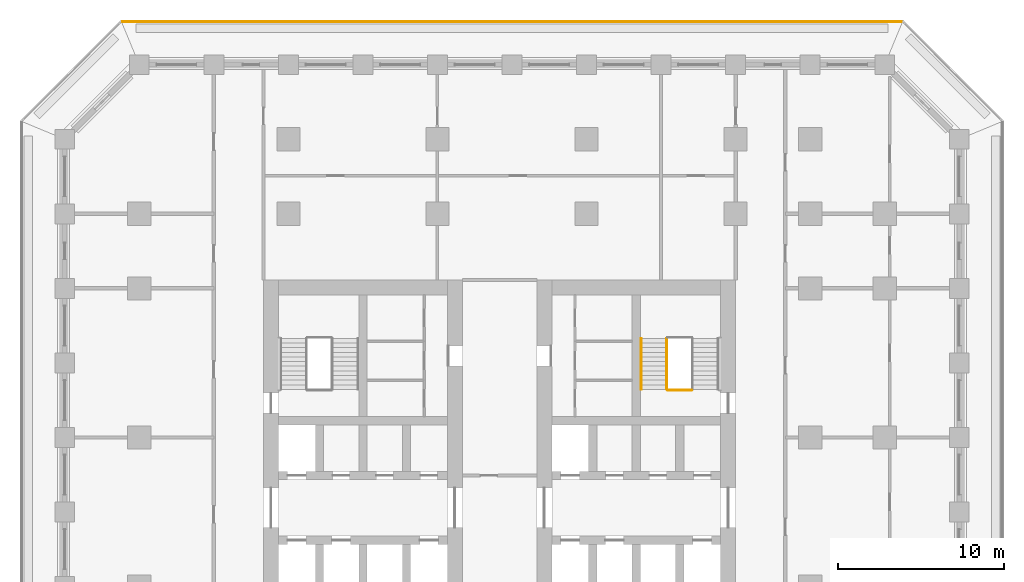
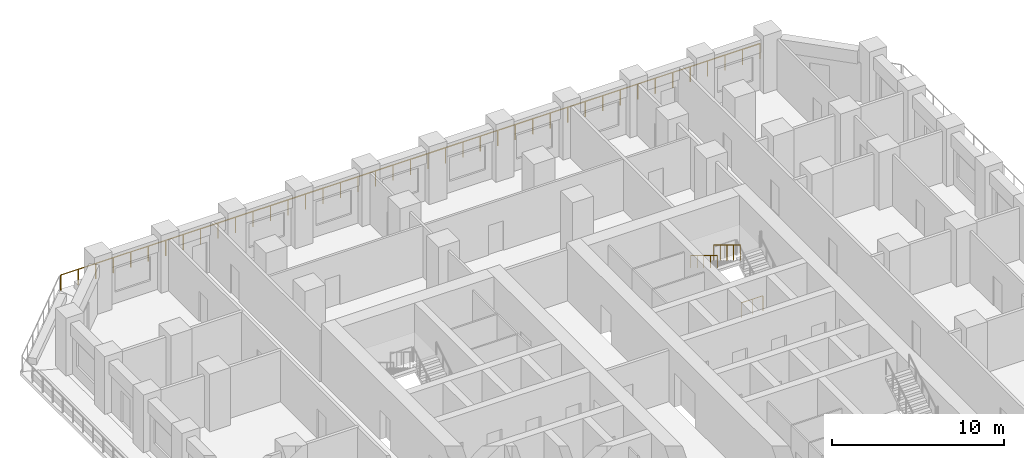
# One storey, part 15 of 17: 4 railings.
"""IFC4 building model written with IfcOpenShell, lengths in metres."""

import ifcopenshell
import ifcopenshell.guid

model = None  # the IFC model being written
_history = None  # IfcOwnerHistory: only IFC2X3 demands one
_inside = {}  # id of a spatial element -> (the spatial element, [elements in it])
_under = {}  # id of a project, library or spatial element -> (it, [spatial elements below it])
_declared = {}  # id of a project -> (the project, [libraries it declares])
_typed = {}  # id of a type object -> (the type object, [elements of that type])
_made_of = {}  # id of a material, layer set ... -> (it, [elements and type objects made of it])


def new_model(schema):
    """Start an empty IFC model of exactly this schema.

    Asked for "IFC4X3", IfcOpenShell would pick the latest addendum, in which some entities
    have other attributes; the version numbers below select the first issue.
    IFC2X3 requires an IfcOwnerHistory on every rooted entity: one is made here for all.
    """
    global model, _history
    if schema == "IFC4X3":
        model = ifcopenshell.file(schema_version=(4, 3, 0, 0))
    else:
        model = ifcopenshell.file(schema=schema)
    _inside.clear()
    _under.clear()
    _declared.clear()
    _typed.clear()
    _made_of.clear()
    _history = None
    if model.schema == "IFC2X3":
        org = make("IfcOrganization", Name="unknown")
        user = make(
            "IfcPersonAndOrganization",
            ThePerson=make("IfcPerson", FamilyName="unknown"),
            TheOrganization=org,
        )
        app = make(
            "IfcApplication",
            ApplicationDeveloper=org,
            Version="unknown",
            ApplicationFullName="unknown",
            ApplicationIdentifier="unknown",
        )
        _history = make(
            "IfcOwnerHistory",
            OwningUser=user,
            OwningApplication=app,
            ChangeAction="ADDED",
            CreationDate=0,
        )
    return model


def make(cls, **values):
    """One entity of the class cls with the attributes given. An attribute that is None is left unset."""
    return model.create_entity(
        cls, **{name: value for name, value in values.items() if value is not None}
    )


def rooted(cls, **values):
    """An entity with a GlobalId (a new one), such as an element, a storey or a relation."""
    return make(cls, GlobalId=ifcopenshell.guid.new(), OwnerHistory=_history, **values)


def si_unit(unit_type, name, prefix=None):
    """IfcSIUnit, for example si_unit("LENGTHUNIT", "METRE", prefix="MILLI")."""
    return make("IfcSIUnit", UnitType=unit_type, Prefix=prefix, Name=name)


def assignment(units):
    """IfcUnitAssignment: the units of a project."""
    return None if units is None else make("IfcUnitAssignment", Units=units)


def point(xyz):
    """IfcCartesianPoint."""
    return None if xyz is None else make("IfcCartesianPoint", Coordinates=xyz)


def direction(xyz):
    """IfcDirection."""
    return None if xyz is None else make("IfcDirection", DirectionRatios=xyz)


def frame(location, z_axis=None, x_axis=None):
    """IfcAxis2Placement3D, a coordinate frame: its origin and axes. An axis left out is left unset."""
    return make(
        "IfcAxis2Placement3D",
        Location=point(location),
        Axis=direction(z_axis),
        RefDirection=direction(x_axis),
    )


def frame_2d(location, x_axis=None):
    """IfcAxis2Placement2D, a coordinate frame in the plane: its origin and x axis."""
    return make(
        "IfcAxis2Placement2D", Location=point(location), RefDirection=direction(x_axis)
    )


def origin():
    """The frame at (0, 0, 0) with its axes left unset."""
    return frame((0.0, 0.0, 0.0))


def origin_2d():
    """The frame at (0, 0) in the plane with its x axis left unset."""
    return frame_2d((0.0, 0.0))


def place(relative_to, where):
    """IfcLocalPlacement: puts the frame where relative to a parent placement (None: the world)."""
    return make(
        "IfcLocalPlacement", PlacementRelTo=relative_to, RelativePlacement=where
    )


def context(
    kind, dimensions, precision=None, world=None, true_north=None, identifier=None
):
    """IfcGeometricRepresentationContext, for example the 3D "Model" context."""
    return make(
        "IfcGeometricRepresentationContext",
        ContextIdentifier=identifier,
        ContextType=kind,
        CoordinateSpaceDimension=dimensions,
        Precision=precision,
        WorldCoordinateSystem=world,
        TrueNorth=true_north,
    )


def subcontext(parent, identifier, kind, view, scale=None):
    """IfcGeometricRepresentationSubContext, for example "Body" below "Model"."""
    return make(
        "IfcGeometricRepresentationSubContext",
        ContextIdentifier=identifier,
        ContextType=kind,
        ParentContext=parent,
        TargetScale=scale,
        TargetView=view,
    )


def project(units=None, contexts=None):
    """IfcProject with its units and contexts."""
    return rooted(
        "IfcProject",
        Name="project",
        RepresentationContexts=contexts,
        UnitsInContext=assignment(units),
    )


def spatial(cls, under=None, at=None, **own):
    """A site, building, storey or space (cls), placed at a placement, below another one or the project."""
    s = rooted(cls, ObjectPlacement=at, **own)
    if under is not None:
        _under.setdefault(under.id(), (under, []))[1].append(s)
    return s


def profile(cls, at=None, kind="AREA", **sizes):
    """A parametric profile (cls). Its sizes go by their IFC names, for example OverallWidth=200.0."""
    return make(cls, ProfileType=kind, Position=at, **sizes)


def circle(**sizes):
    """IfcCircleProfileDef."""
    return profile("IfcCircleProfileDef", **sizes)


def extrude(swept, where, along, depth):
    """IfcExtrudedAreaSolid: the profile swept, set in the frame where, extruded along a direction by depth."""
    return make(
        "IfcExtrudedAreaSolid",
        SweptArea=swept,
        Position=where,
        ExtrudedDirection=direction(along),
        Depth=depth,
    )


def shape(context_of_items, identifier, shape_type, items):
    """IfcShapeRepresentation: the items that make up one representation, for example the "Body"."""
    return make(
        "IfcShapeRepresentation",
        ContextOfItems=context_of_items,
        RepresentationIdentifier=identifier,
        RepresentationType=shape_type,
        Items=items,
    )


def material(Name=None, Category=None):
    """IfcMaterial."""
    return make("IfcMaterial", Name=Name, Category=Category)


def made_of(thing, what):
    """Note that an element or type object is made of a material, layer set ...; save() writes the relation."""
    if what is not None:
        _made_of.setdefault(what.id(), (what, []))[1].append(thing)
    return thing


def type_object(cls, material=None, **own):
    """A type object (cls), such as IfcWallType, which elements share."""
    return made_of(rooted(cls, **own), material)


def element(
    cls,
    number,
    at=None,
    inside=None,
    cuts=None,
    type_object=None,
    material=None,
    context=None,
    identifier="Body",
    shape_type=None,
    held_by="IfcProductDefinitionShape",
    body=None,
    shapes=None,
    **own,
):
    """One element of the class cls, such as IfcWall. Its Tag is "e" and its number.

    at: its placement. inside: the storey or other place that contains it. cuts: it is an
    opening in that element (IfcRelVoidsElement). A single representation is given by context,
    identifier, shape_type and body (its items); several are given by shapes. held_by: the class
    of the entity that holds the representations. save() writes the other relations.
    """
    e = rooted(cls, Tag="e%d" % number, ObjectPlacement=at, **own)
    if body is not None:
        shapes = [shape(context, identifier, shape_type, body)]
    if shapes is not None:
        e.Representation = make(held_by, Representations=shapes)
    if inside is not None:
        _inside.setdefault(inside.id(), (inside, []))[1].append(e)
    if cuts is not None:
        rooted(
            "IfcRelVoidsElement", RelatingBuildingElement=cuts, RelatedOpeningElement=e
        )
    if type_object is not None:
        _typed.setdefault(type_object.id(), (type_object, []))[1].append(e)
    return made_of(e, material)


def aggregate(whole, parts):
    """IfcRelAggregates: a whole, such as a stair, and the parts it consists of."""
    return rooted("IfcRelAggregates", RelatingObject=whole, RelatedObjects=parts)


def save(model, path):
    """Write the relations noted so far, then the file.

    IfcRelAggregates (storeys below a building ...), IfcRelContainedInSpatialStructure (elements
    in a storey), IfcRelDefinesByType, IfcRelAssociatesMaterial and IfcRelDeclares: one each for
    every whole, place, type object, material and project.
    """
    for whole, parts in _under.values():
        aggregate(whole, parts)
    for where, things in _inside.values():
        rooted(
            "IfcRelContainedInSpatialStructure",
            RelatedElements=things,
            RelatingStructure=where,
        )
    for kind, things in _typed.values():
        rooted("IfcRelDefinesByType", RelatedObjects=things, RelatingType=kind)
    for what, things in _made_of.values():
        rooted("IfcRelAssociatesMaterial", RelatedObjects=things, RelatingMaterial=what)
    for by, libraries in _declared.values():
        rooted("IfcRelDeclares", RelatingContext=by, RelatedDefinitions=libraries)
    model.write(path)


model = new_model("IFC4")

# Units and contexts
model_context = context("Model", 3, precision=1e-05, world=origin(), true_north=direction((0.0, 1.0)))
body_context = subcontext(model_context, "Body", "Model", "MODEL_VIEW")
ifc_project = project(units=[si_unit("LENGTHUNIT", "METRE"), si_unit("AREAUNIT", "SQUARE_METRE"), si_unit("VOLUMEUNIT", "CUBIC_METRE"), si_unit("PLANEANGLEUNIT", "RADIAN"), si_unit("MASSUNIT", "GRAM", prefix="KILO")], contexts=[model_context])

# Site, building, storey
site_placement = place(None, origin())
site = spatial("IfcSite", under=ifc_project, at=site_placement, CompositionType="ELEMENT")
building_placement = place(site_placement, origin())
building = spatial("IfcBuilding", under=site, at=building_placement, Name="Corbel Stack Research Tower", CompositionType="ELEMENT")
storey_placement = place(building_placement, frame((0.0, 0.0, 94.300048828125)))
storey = spatial("IfcBuildingStorey", under=building, at=storey_placement, Name="L21", CompositionType="ELEMENT", Elevation=94.300048828125)

# Railings
ifc_material_1 = material(Name="Steel S355", Category="steel")
railing_type_1 = type_object("IfcRailingType", Name="Stair guard 1100", PredefinedType="GUARDRAIL", material=ifc_material_1)
railing_1_placement = place(storey_placement, frame((13.85009765625, 14.97998046875, 2.220703125)))
element("IfcRailing", 1, at=railing_1_placement, inside=storey, type_object=railing_type_1, Name="L21 ST-E2 stair guard 4", PredefinedType="GUARDRAIL", context=body_context, shape_type="SweptSolid", body=[
    extrude(circle(Radius=0.02392578125, at=origin_2d()), frame((0.0, 0.0, 1.076171875), z_axis=(0.0, -0.853666305674, 0.52082035152), x_axis=(1.0, 0.0, 0.0)), (0.0, 0.0, 1.0), 3.608154296875),
    extrude(circle(Radius=0.02099609375, at=origin_2d()), origin(), (0.0, 0.0, 1.0), 1.052001953125),
    extrude(circle(Radius=0.02099609375, at=origin_2d()), frame((0.0, -0.77001953125, 0.4697265625)), (0.0, 0.0, 1.0), 1.052001953125),
    extrude(circle(Radius=0.02099609375, at=origin_2d()), frame((0.0, -1.5400390625, 0.939453125)), (0.0, 0.0, 1.0), 1.052001953125),
    extrude(circle(Radius=0.02099609375, at=origin_2d()), frame((0.0, -2.31005859375, 1.409423828125)), (0.0, 0.0, 1.0), 1.052001953125),
    extrude(circle(Radius=0.02099609375, at=origin_2d()), frame((0.0, -3.080078125, 1.879150390625)), (0.0, 0.0, 1.0), 1.052001953125),
])
railing_2_placement = place(storey_placement, frame((15.35009765625, 11.85009765625, 0.0)))
element("IfcRailing", 2, at=railing_2_placement, inside=storey, type_object=railing_type_1, Name="L21 ST-E2 stair guard 5", PredefinedType="GUARDRAIL", context=body_context, shape_type="SweptSolid", body=[
    extrude(circle(Radius=0.02392578125, at=origin_2d()), frame((0.0, 0.0, 1.076171875), z_axis=(-1.0, 0.0, 0.0), x_axis=(0.0, -1.0, 0.0)), (0.0, 0.0, 1.0), 1.4501953125),
    extrude(circle(Radius=0.02099609375, at=origin_2d()), origin(), (0.0, 0.0, 1.0), 1.052001953125),
    extrude(circle(Radius=0.02099609375, at=origin_2d()), frame((-0.72509765625, 0.0, 0.0)), (0.0, 0.0, 1.0), 1.052001953125),
    extrude(circle(Radius=0.02099609375, at=origin_2d()), frame((-1.4501953125, 0.0, 0.0)), (0.0, 0.0, 1.0), 1.052001953125),
])
ifc_material_2 = material(Name="Steel S355", Category="steel")
railing_type_2 = type_object("IfcRailingType", Name="Stair handrail 900", PredefinedType="HANDRAIL", material=ifc_material_2)
railing_3_placement = place(storey_placement, frame((12.300048828125, 14.97998046875, 2.220703125)))
element("IfcRailing", 3, at=railing_3_placement, inside=storey, type_object=railing_type_2, Name="L21 ST-E2 stair handrail 2", PredefinedType="HANDRAIL", context=body_context, shape_type="SweptSolid", body=[
    extrude(circle(Radius=0.02392578125, at=origin_2d()), frame((0.0, 0.0, 0.8759765625), z_axis=(0.0, -0.853666305674, 0.52082035152), x_axis=(1.0, 0.0, 0.0)), (0.0, 0.0, 1.0), 3.608154296875),
    extrude(circle(Radius=0.02099609375, at=origin_2d()), origin(), (0.0, 0.0, 1.0), 0.851806640625),
    extrude(circle(Radius=0.02099609375, at=origin_2d()), frame((0.0, -0.77001953125, 0.4697265625)), (0.0, 0.0, 1.0), 0.851806640625),
    extrude(circle(Radius=0.02099609375, at=origin_2d()), frame((0.0, -1.5400390625, 0.939453125)), (0.0, 0.0, 1.0), 0.851806640625),
    extrude(circle(Radius=0.02099609375, at=origin_2d()), frame((0.0, -2.31005859375, 1.409423828125)), (0.0, 0.0, 1.0), 0.851806640625),
    extrude(circle(Radius=0.02099609375, at=origin_2d()), frame((0.0, -3.080078125, 1.879150390625)), (0.0, 0.0, 1.0), 0.851806640625),
])
ifc_material_3 = material(Name="Powder-coated steel guard", Category="steel")
railing_type_3 = type_object("IfcRailingType", Name="Steel and glass guard 1100", PredefinedType="GUARDRAIL", material=ifc_material_3)
railing_4_placement = place(storey_placement, frame((28.00537109375, 34.10009765625, 0.0)))
element("IfcRailing", 4, at=railing_4_placement, inside=storey, type_object=railing_type_3, Name="Loggia guard L21 N", PredefinedType="GUARDRAIL", context=body_context, shape_type="SweptSolid", body=[
    extrude(circle(Radius=0.02392578125, at=origin_2d()), frame((0.0, 0.0, 1.076171875), z_axis=(-1.0, 0.0, 0.0), x_axis=(0.0, -1.0, 0.0)), (0.0, 0.0, 1.0), 47.0107421875),
    extrude(circle(Radius=0.02099609375, at=origin_2d()), origin(), (0.0, 0.0, 1.0), 1.052001953125),
    extrude(circle(Radius=0.02099609375, at=origin_2d()), frame((-1.17529296875, 0.0, 0.0)), (0.0, 0.0, 1.0), 1.052001953125),
    extrude(circle(Radius=0.02099609375, at=origin_2d()), frame((-2.3505859375, 0.0, 0.0)), (0.0, 0.0, 1.0), 1.052001953125),
    extrude(circle(Radius=0.02099609375, at=origin_2d()), frame((-3.52587890625, 0.0, 0.0)), (0.0, 0.0, 1.0), 1.052001953125),
    extrude(circle(Radius=0.02099609375, at=origin_2d()), frame((-4.701171875, 0.0, 0.0)), (0.0, 0.0, 1.0), 1.052001953125),
    extrude(circle(Radius=0.02099609375, at=origin_2d()), frame((-5.87646484375, 0.0, 0.0)), (0.0, 0.0, 1.0), 1.052001953125),
    extrude(circle(Radius=0.02099609375, at=origin_2d()), frame((-7.051513671875, 0.0, 0.0)), (0.0, 0.0, 1.0), 1.052001953125),
    extrude(circle(Radius=0.02099609375, at=origin_2d()), frame((-8.226806640625, 0.0, 0.0)), (0.0, 0.0, 1.0), 1.052001953125),
    extrude(circle(Radius=0.02099609375, at=origin_2d()), frame((-9.402099609375, 0.0, 0.0)), (0.0, 0.0, 1.0), 1.052001953125),
    extrude(circle(Radius=0.02099609375, at=origin_2d()), frame((-10.577392578125, 0.0, 0.0)), (0.0, 0.0, 1.0), 1.052001953125),
    extrude(circle(Radius=0.02099609375, at=origin_2d()), frame((-11.752685546875, 0.0, 0.0)), (0.0, 0.0, 1.0), 1.052001953125),
    extrude(circle(Radius=0.02099609375, at=origin_2d()), frame((-12.927978515625, 0.0, 0.0)), (0.0, 0.0, 1.0), 1.052001953125),
    extrude(circle(Radius=0.02099609375, at=origin_2d()), frame((-14.103271484375, 0.0, 0.0)), (0.0, 0.0, 1.0), 1.052001953125),
    extrude(circle(Radius=0.02099609375, at=origin_2d()), frame((-15.278564453125, 0.0, 0.0)), (0.0, 0.0, 1.0), 1.052001953125),
    extrude(circle(Radius=0.02099609375, at=origin_2d()), frame((-16.453857421875, 0.0, 0.0)), (0.0, 0.0, 1.0), 1.052001953125),
    extrude(circle(Radius=0.02099609375, at=origin_2d()), frame((-17.62890625, 0.0, 0.0)), (0.0, 0.0, 1.0), 1.052001953125),
    extrude(circle(Radius=0.02099609375, at=origin_2d()), frame((-18.80419921875, 0.0, 0.0)), (0.0, 0.0, 1.0), 1.052001953125),
    extrude(circle(Radius=0.02099609375, at=origin_2d()), frame((-19.9794921875, 0.0, 0.0)), (0.0, 0.0, 1.0), 1.052001953125),
    extrude(circle(Radius=0.02099609375, at=origin_2d()), frame((-21.15478515625, 0.0, 0.0)), (0.0, 0.0, 1.0), 1.052001953125),
    extrude(circle(Radius=0.02099609375, at=origin_2d()), frame((-22.330078125, 0.0, 0.0)), (0.0, 0.0, 1.0), 1.052001953125),
    extrude(circle(Radius=0.02099609375, at=origin_2d()), frame((-23.50537109375, 0.0, 0.0)), (0.0, 0.0, 1.0), 1.052001953125),
    extrude(circle(Radius=0.02099609375, at=origin_2d()), frame((-24.6806640625, 0.0, 0.0)), (0.0, 0.0, 1.0), 1.052001953125),
    extrude(circle(Radius=0.02099609375, at=origin_2d()), frame((-25.85595703125, 0.0, 0.0)), (0.0, 0.0, 1.0), 1.052001953125),
    extrude(circle(Radius=0.02099609375, at=origin_2d()), frame((-27.03125, 0.0, 0.0)), (0.0, 0.0, 1.0), 1.052001953125),
    extrude(circle(Radius=0.02099609375, at=origin_2d()), frame((-28.20654296875, 0.0, 0.0)), (0.0, 0.0, 1.0), 1.052001953125),
    extrude(circle(Radius=0.02099609375, at=origin_2d()), frame((-29.3818359375, 0.0, 0.0)), (0.0, 0.0, 1.0), 1.052001953125),
    extrude(circle(Radius=0.02099609375, at=origin_2d()), frame((-30.556884765625, 0.0, 0.0)), (0.0, 0.0, 1.0), 1.052001953125),
    extrude(circle(Radius=0.02099609375, at=origin_2d()), frame((-31.732177734375, 0.0, 0.0)), (0.0, 0.0, 1.0), 1.052001953125),
    extrude(circle(Radius=0.02099609375, at=origin_2d()), frame((-32.907470703125, 0.0, 0.0)), (0.0, 0.0, 1.0), 1.052001953125),
    extrude(circle(Radius=0.02099609375, at=origin_2d()), frame((-34.082763671875, 0.0, 0.0)), (0.0, 0.0, 1.0), 1.052001953125),
    extrude(circle(Radius=0.02099609375, at=origin_2d()), frame((-35.258056640625, 0.0, 0.0)), (0.0, 0.0, 1.0), 1.052001953125),
    extrude(circle(Radius=0.02099609375, at=origin_2d()), frame((-36.433349609375, 0.0, 0.0)), (0.0, 0.0, 1.0), 1.052001953125),
    extrude(circle(Radius=0.02099609375, at=origin_2d()), frame((-37.608642578125, 0.0, 0.0)), (0.0, 0.0, 1.0), 1.052001953125),
    extrude(circle(Radius=0.02099609375, at=origin_2d()), frame((-38.783935546875, 0.0, 0.0)), (0.0, 0.0, 1.0), 1.052001953125),
    extrude(circle(Radius=0.02099609375, at=origin_2d()), frame((-39.959228515625, 0.0, 0.0)), (0.0, 0.0, 1.0), 1.052001953125),
    extrude(circle(Radius=0.02099609375, at=origin_2d()), frame((-41.13427734375, 0.0, 0.0)), (0.0, 0.0, 1.0), 1.052001953125),
    extrude(circle(Radius=0.02099609375, at=origin_2d()), frame((-42.3095703125, 0.0, 0.0)), (0.0, 0.0, 1.0), 1.052001953125),
    extrude(circle(Radius=0.02099609375, at=origin_2d()), frame((-43.48486328125, 0.0, 0.0)), (0.0, 0.0, 1.0), 1.052001953125),
    extrude(circle(Radius=0.02099609375, at=origin_2d()), frame((-44.66015625, 0.0, 0.0)), (0.0, 0.0, 1.0), 1.052001953125),
    extrude(circle(Radius=0.02099609375, at=origin_2d()), frame((-45.83544921875, 0.0, 0.0)), (0.0, 0.0, 1.0), 1.052001953125),
    extrude(circle(Radius=0.02099609375, at=origin_2d()), frame((-47.0107421875, 0.0, 0.0)), (0.0, 0.0, 1.0), 1.052001953125),
])

save(model, "model.ifc")
